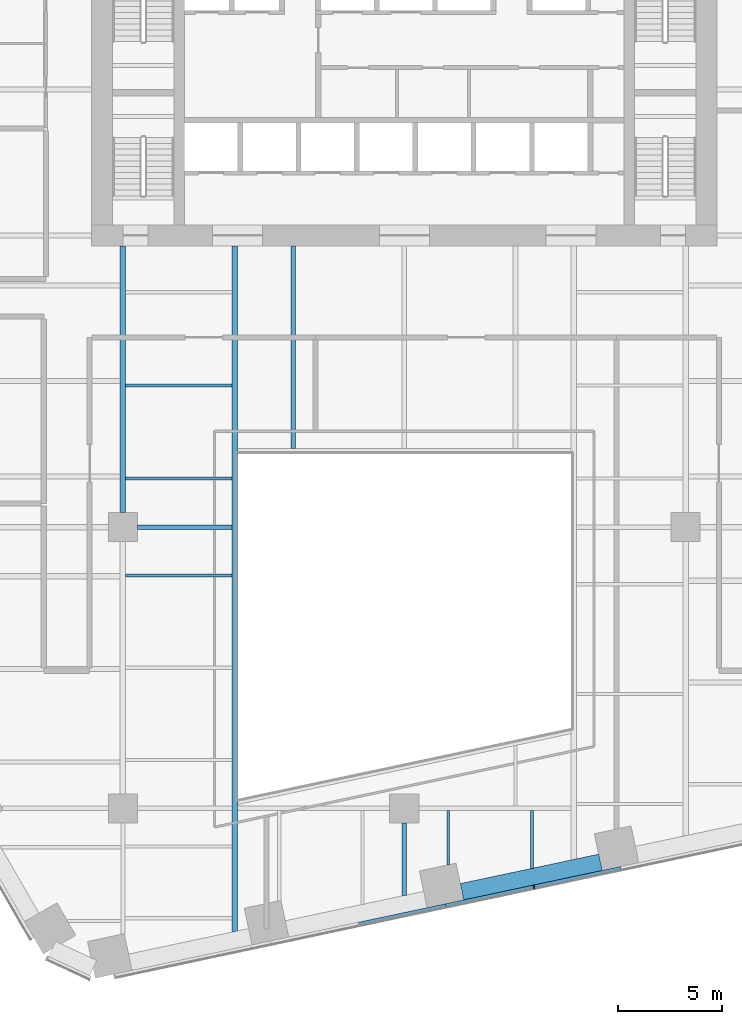
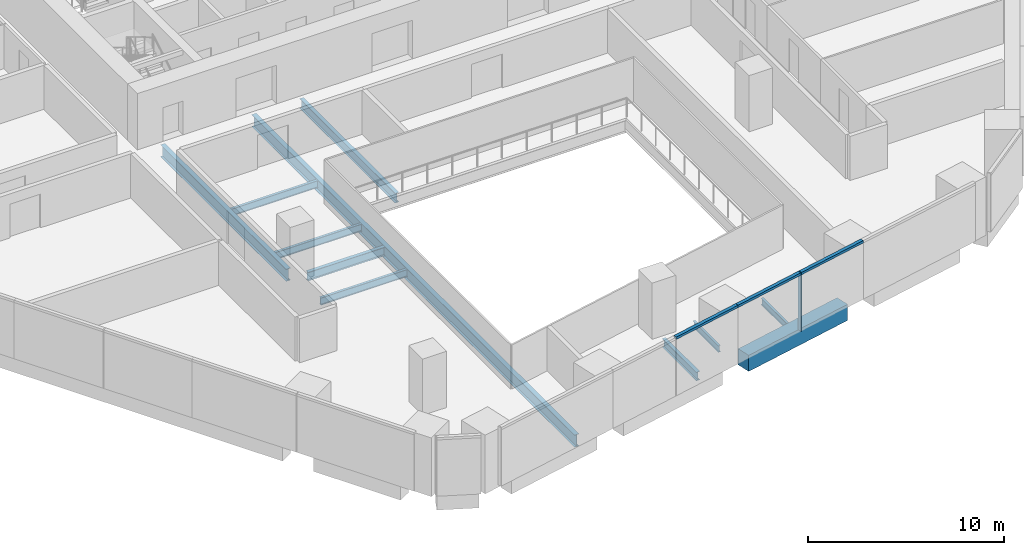
# One storey, part 4 of 20: 11 beams, 4 members, 1 element without a shape of its own.
"""IFC4 building model written with IfcOpenShell, lengths in metres."""

from ifc_helpers import new_model, si_unit, direction, frame, origin, origin_2d, place, context, subcontext, project, spatial, rectangle, i_section, extrude, material, layer, layer_set, material_profile, profile_set, type_object, element, aggregate, save


model = new_model("IFC4")

# Units and contexts
model_context = context("Model", 3, precision=1e-05, world=origin(), true_north=direction((0.0, 1.0)))
body_context = subcontext(model_context, "Body", "Model", "MODEL_VIEW")
ifc_project = project(units=[si_unit("LENGTHUNIT", "METRE"), si_unit("AREAUNIT", "SQUARE_METRE"), si_unit("VOLUMEUNIT", "CUBIC_METRE"), si_unit("PLANEANGLEUNIT", "RADIAN"), si_unit("MASSUNIT", "GRAM", prefix="KILO")], contexts=[model_context])

# Site, building, storey
site_placement = place(None, origin())
site = spatial("IfcSite", under=ifc_project, at=site_placement, CompositionType="ELEMENT")
building_placement = place(site_placement, origin())
building = spatial("IfcBuilding", under=site, at=building_placement, Name="Isthmus Gate Tower", CompositionType="ELEMENT")
storey_placement = place(building_placement, frame((0.0, 0.0, 65.199951171875)))
storey = spatial("IfcBuildingStorey", under=building, at=storey_placement, Name="L14", CompositionType="ELEMENT", Elevation=65.199951171875)

# Curtain wall, members
ifc_material_1 = material(Name="Aluminium, pale champagne anodised", Category="aluminium")
ifc_layer = layer(ifc_material_1, 0.199951171875)
ifc_layer_set = layer_set([ifc_layer], Name="CW-1 UNITISED CURTAIN WALL 200 DEEP")
curtain_wall_type = type_object("IfcCurtainWallType", Name="CW-1 UNITISED CURTAIN WALL 200 DEEP", PredefinedType="NOTDEFINED", material=ifc_layer_set)
curtain_wall_placement = place(storey_placement, origin())
curtain_wall = element("IfcCurtainWall", 1, at=curtain_wall_placement, inside=storey, type_object=curtain_wall_type, Name="CW-1 S L14", PredefinedType="NOTDEFINED")
ifc_material_2 = material(Name="Aluminium, pale champagne anodised", Category="aluminium")
ifc_material_profile_1 = material_profile(ifc_material_2, rectangle(XDim=0.06005859375, YDim=0.199951171875, at=origin_2d()), Name="60x200")
ifc_profile_set_1 = profile_set([ifc_material_profile_1], Name="Aluminium, pale champagne anodised")
member_type_1 = type_object("IfcMemberType", Name="CW-1 MULLION 60 X 200", PredefinedType="MULLION", material=ifc_profile_set_1)
member_1_placement = place(storey_placement, frame((6.228759765625, -30.7783203125, 0.0), z_axis=(0.0, 0.0, 1.0), x_axis=(0.978147600734, 0.207911690818, 0.0)))
member_1 = element("IfcMember", 2, at=member_1_placement, type_object=member_type_1, Name="CW-1 mullion", PredefinedType="MULLION", context=body_context, shape_type="SweptSolid", body=[
    extrude(rectangle(XDim=0.06005859375, YDim=0.199951171875, at=origin_2d()), origin(), (0.0, 0.0, 1.0), 3.650146484375),
])
ifc_material_3 = material(Name="Aluminium, pale champagne anodised", Category="aluminium")
ifc_material_profile_2 = material_profile(ifc_material_3, rectangle(XDim=0.199951171875, YDim=0.14990234375, at=origin_2d()), Name="200x150")
ifc_profile_set_2 = profile_set([ifc_material_profile_2], Name="Aluminium, pale champagne anodised")
member_type_2 = type_object("IfcMemberType", Name="CW-1 TRANSOM 200 X 150", PredefinedType="USERDEFINED", material=ifc_profile_set_2)
member_2_placement = place(storey_placement, frame((-2.1435546875, -32.557861328125, 3.574951171875), z_axis=(0.978150351608, 0.20789874855, 0.0), x_axis=(-0.20789874855, 0.978150351608, 0.0)))
member_2 = element("IfcMember", 3, at=member_2_placement, type_object=member_type_2, Name="CW-1 transom", ObjectType="TRANSOM", PredefinedType="USERDEFINED", context=body_context, shape_type="SweptSolid", body=[
    extrude(rectangle(XDim=0.199951171875, YDim=0.14990234375, at=origin_2d()), origin(), (0.0, 0.0, 1.0), 4.234619140625),
])
member_3_placement = place(storey_placement, frame((1.99853515625, -31.677490234375, 3.574951171875), z_axis=(0.97813890815, 0.207952582007, 0.0), x_axis=(-0.207952582007, 0.97813890815, 0.0)))
member_3 = element("IfcMember", 4, at=member_3_placement, type_object=member_type_2, Name="CW-1 transom", ObjectType="TRANSOM", PredefinedType="USERDEFINED", context=body_context, shape_type="SweptSolid", body=[
    extrude(rectangle(XDim=0.199951171875, YDim=0.14990234375, at=origin_2d()), origin(), (0.0, 0.0, 1.0), 4.294677734375),
])
member_4_placement = place(storey_placement, frame((6.258056640625, -30.77197265625, 3.574951171875), z_axis=(0.978150351608, 0.20789874855, 0.0), x_axis=(-0.20789874855, 0.978150351608, 0.0)))
member_4 = element("IfcMember", 5, at=member_4_placement, type_object=member_type_2, Name="CW-1 transom", ObjectType="TRANSOM", PredefinedType="USERDEFINED", context=body_context, shape_type="SweptSolid", body=[
    extrude(rectangle(XDim=0.199951171875, YDim=0.14990234375, at=origin_2d()), origin(), (0.0, 0.0, 1.0), 4.234619140625),
])
aggregate(curtain_wall, [member_2, member_3, member_1, member_4])

# Beams
ifc_material_4 = material(Name="Concrete f'c 70 MPa", Category="concrete")
ifc_material_profile_3 = material_profile(ifc_material_4, rectangle(XDim=0.800048828125, YDim=1.0, at=origin_2d()), Name="RC 800X1000")
ifc_profile_set_3 = profile_set([ifc_material_profile_3], Name="Concrete f'c 70 MPa")
beam_type_1 = type_object("IfcBeamType", Name="RC SPANDREL 800 X 1000", PredefinedType="SPANDREL", material=ifc_profile_set_3)
beam_1_placement = place(storey_placement, frame((9.415771484375, -29.589599609375, -0.5), z_axis=(-0.978145779981, -0.207920256603, 0.0), x_axis=(0.207920256603, -0.978145779981, 0.0)))
element("IfcBeam", 6, at=beam_1_placement, inside=storey, type_object=beam_type_1, Name="str-spandrel-L14-11", PredefinedType="SPANDREL", context=body_context, shape_type="SweptSolid", body=[
    extrude(rectangle(XDim=0.800048828125, YDim=1.0, at=origin_2d()), origin(), (0.0, 0.0, 1.0), 6.789306640625),
])
ifc_material_5 = material(Name="Structural steel ASTM A992 Gr 50", Category="steel")
ifc_material_profile_4 = material_profile(ifc_material_5, i_section(OverallWidth=0.1396484375, OverallDepth=0.4033203125, WebThickness=0.00634765625, FlangeThickness=0.010986328125, at=origin_2d()), Name="W16X31")
ifc_profile_set_4 = profile_set([ifc_material_profile_4], Name="Structural steel ASTM A992 Gr 50")
beam_type_2 = type_object("IfcBeamType", Name="STEEL FLOOR BEAM W16X31", PredefinedType="JOIST", material=ifc_profile_set_4)
beam_2_placement = place(storey_placement, frame((2.111572265625, -29.7109375, -0.3515625), z_axis=(0.0, 1.0, 0.0), x_axis=(-1.0, 0.0, 0.0)))
element("IfcBeam", 7, at=beam_2_placement, inside=storey, type_object=beam_type_2, Name="str-beam-L14-18-00", PredefinedType="JOIST", context=body_context, shape_type="SweptSolid", body=[
    extrude(i_section(OverallWidth=0.1396484375, OverallDepth=0.4033203125, WebThickness=0.00634765625, FlangeThickness=0.010986328125, at=origin_2d()), origin(), (0.0, 0.0, 1.0), 2.5966796875),
])
beam_3_placement = place(storey_placement, frame((6.125, -29.880126953125, -0.3515625), z_axis=(0.0, 1.0, 0.0), x_axis=(-1.0, 0.0, 0.0)))
element("IfcBeam", 8, at=beam_3_placement, inside=storey, type_object=beam_type_2, Name="str-beam-L14-18-01", PredefinedType="JOIST", context=body_context, shape_type="SweptSolid", body=[
    extrude(i_section(OverallWidth=0.1396484375, OverallDepth=0.4033203125, WebThickness=0.00634765625, FlangeThickness=0.010986328125, at=origin_2d()), origin(), (0.0, 0.0, 1.0), 2.765869140625),
])
ifc_material_6 = material(Name="Structural steel ASTM A992 Gr 50", Category="steel")
ifc_material_profile_5 = material_profile(ifc_material_6, i_section(OverallWidth=0.15234375, OverallDepth=0.45068359375, WebThickness=0.0078125, FlangeThickness=0.010986328125, at=origin_2d()), Name="W18X35")
ifc_profile_set_5 = profile_set([ifc_material_profile_5], Name="Structural steel ASTM A992 Gr 50")
beam_type_3 = type_object("IfcBeamType", Name="STEEL FLOOR BEAM W18X35", PredefinedType="JOIST", material=ifc_profile_set_5)
for number, where, z_axis, x_axis, name in (
    (9, (-13.3681640625, -11.16259765625, -0.375244140625), (1.0, 0.0, 0.0), (0.0, 1.0, 0.0), "str-beam-L14-11-00"),
    (10, (-13.3681640625, -6.697509765625, -0.375244140625), (1.0, 0.0, 0.0), (0.0, 1.0, 0.0), "str-beam-L14-11-01"),
    (11, (-13.3681640625, -15.81982421875, -0.375244140625), (1.0, 0.0, 0.0), (0.0, 1.0, 0.0), "str-beam-L14-12-02"),
):
    element("IfcBeam", number, at=place(storey_placement, frame(where, z_axis=z_axis, x_axis=x_axis)), inside=storey, type_object=beam_type_3, Name=name, PredefinedType="JOIST", context=body_context, shape_type="SweptSolid", body=[
        extrude(i_section(OverallWidth=0.15234375, OverallDepth=0.45068359375, WebThickness=0.0078125, FlangeThickness=0.010986328125, at=origin_2d()), origin(), (0.0, 0.0, 1.0), 5.1015625),
    ])
ifc_material_7 = material(Name="Structural steel ASTM A992 Gr 50", Category="steel")
ifc_material_profile_6 = material_profile(ifc_material_7, i_section(OverallWidth=0.228515625, OverallDepth=0.603271484375, WebThickness=0.010986328125, FlangeThickness=0.014404296875, at=origin_2d()), Name="W24X68")
ifc_profile_set_6 = profile_set([ifc_material_profile_6], Name="Structural steel ASTM A992 Gr 50")
beam_type_4 = type_object("IfcBeamType", Name="STEEL FLOOR BEAM W24X68", PredefinedType="JOIST", material=ifc_profile_set_6)
beam_4_placement = place(storey_placement, frame((-5.333251953125, -9.7333984375, -0.45166015625), z_axis=(0.0, 1.0, 0.0), x_axis=(-1.0, 0.0, 0.0)))
element("IfcBeam", 12, at=beam_4_placement, inside=storey, type_object=beam_type_4, Name="str-beam-L14-16-00", PredefinedType="JOIST", context=body_context, shape_type="SweptSolid", body=[
    extrude(i_section(OverallWidth=0.228515625, OverallDepth=0.603271484375, WebThickness=0.010986328125, FlangeThickness=0.014404296875, at=origin_2d()), origin(), (0.0, 0.0, 1.0), 9.7333984375),
])
ifc_material_8 = material(Name="Structural steel ASTM A992 Gr 50", Category="steel")
ifc_material_profile_7 = material_profile(ifc_material_8, i_section(OverallWidth=0.20947265625, OverallDepth=0.533447265625, WebThickness=0.009521484375, FlangeThickness=0.015869140625, at=origin_2d()), Name="W21X62")
ifc_profile_set_7 = profile_set([ifc_material_profile_7], Name="Structural steel ASTM A992 Gr 50")
beam_type_5 = type_object("IfcBeamType", Name="STEEL GIRDER W21X62", PredefinedType="BEAM", material=ifc_profile_set_7)
beam_5_placement = place(storey_placement, frame((-12.800048828125, -13.5, -0.416748046875), z_axis=(1.0, 0.0, 0.0), x_axis=(0.0, 1.0, 0.0)))
element("IfcBeam", 13, at=beam_5_placement, inside=storey, type_object=beam_type_5, Name="str-girder-L14-06", PredefinedType="BEAM", context=body_context, shape_type="SweptSolid", body=[
    extrude(i_section(OverallWidth=0.20947265625, OverallDepth=0.533447265625, WebThickness=0.009521484375, FlangeThickness=0.015869140625, at=origin_2d()), origin(), (0.0, 0.0, 1.0), 4.533447265625),
])
beam_6_placement = place(storey_placement, frame((0.0, -31.18212890625, -0.416748046875), z_axis=(0.0, 1.0, 0.0), x_axis=(-1.0, 0.0, 0.0)))
element("IfcBeam", 14, at=beam_6_placement, inside=storey, type_object=beam_type_5, Name="str-girder-L14-28", PredefinedType="BEAM", context=body_context, shape_type="SweptSolid", body=[
    extrude(i_section(OverallWidth=0.20947265625, OverallDepth=0.533447265625, WebThickness=0.009521484375, FlangeThickness=0.015869140625, at=origin_2d()), origin(), (0.0, 0.0, 1.0), 3.482177734375),
])
ifc_material_9 = material(Name="Structural steel ASTM A992 Gr 50", Category="steel")
ifc_material_profile_8 = material_profile(ifc_material_9, i_section(OverallWidth=0.263427734375, OverallDepth=0.749267578125, WebThickness=0.0126953125, FlangeThickness=0.015869140625, at=origin_2d()), Name="W30X90")
ifc_profile_set_8 = profile_set([ifc_material_profile_8], Name="Structural steel ASTM A992 Gr 50")
beam_type_6 = type_object("IfcBeamType", Name="STEEL GIRDER W30X90", PredefinedType="BEAM", material=ifc_profile_set_8)
beam_7_placement = place(storey_placement, frame((-13.5, -12.800048828125, -0.524658203125), z_axis=(0.0, 1.0, 0.0), x_axis=(-1.0, 0.0, 0.0)))
element("IfcBeam", 15, at=beam_7_placement, inside=storey, type_object=beam_type_6, Name="str-girder-L14-25", PredefinedType="BEAM", context=body_context, shape_type="SweptSolid", body=[
    extrude(i_section(OverallWidth=0.263427734375, OverallDepth=0.749267578125, WebThickness=0.0126953125, FlangeThickness=0.015869140625, at=origin_2d()), origin(), (0.0, 0.0, 1.0), 12.800048828125),
])
ifc_material_10 = material(Name="Structural steel ASTM A992 Gr 50", Category="steel")
ifc_material_profile_9 = material_profile(ifc_material_10, i_section(OverallWidth=0.2666015625, OverallDepth=0.7587890625, WebThickness=0.014404296875, FlangeThickness=0.01904296875, at=origin_2d()), Name="W30X108")
ifc_profile_set_9 = profile_set([ifc_material_profile_9], Name="Structural steel ASTM A992 Gr 50")
beam_type_7 = type_object("IfcBeamType", Name="STEEL TRIMMER W30X108", PredefinedType="BEAM", material=ifc_profile_set_9)
beam_8_placement = place(storey_placement, frame((-8.13330078125, 0.0, -0.529296875), z_axis=(0.0, -1.0, 0.0), x_axis=(1.0, 0.0, 0.0)))
element("IfcBeam", 16, at=beam_8_placement, inside=storey, type_object=beam_type_7, Name="str-trimmer-L14-02", PredefinedType="BEAM", context=body_context, shape_type="SweptSolid", body=[
    extrude(i_section(OverallWidth=0.2666015625, OverallDepth=0.7587890625, WebThickness=0.014404296875, FlangeThickness=0.01904296875, at=origin_2d()), origin(), (0.0, 0.0, 1.0), 32.910888671875),
])

save(model, "model.ifc")
